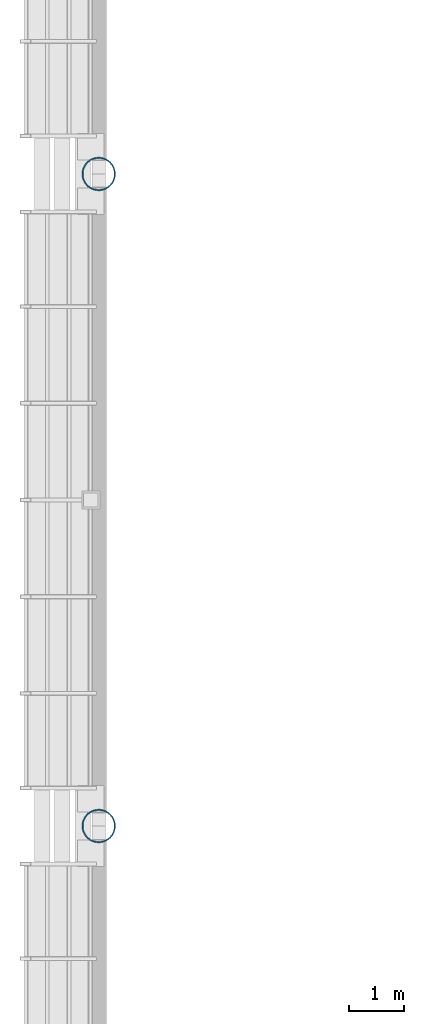
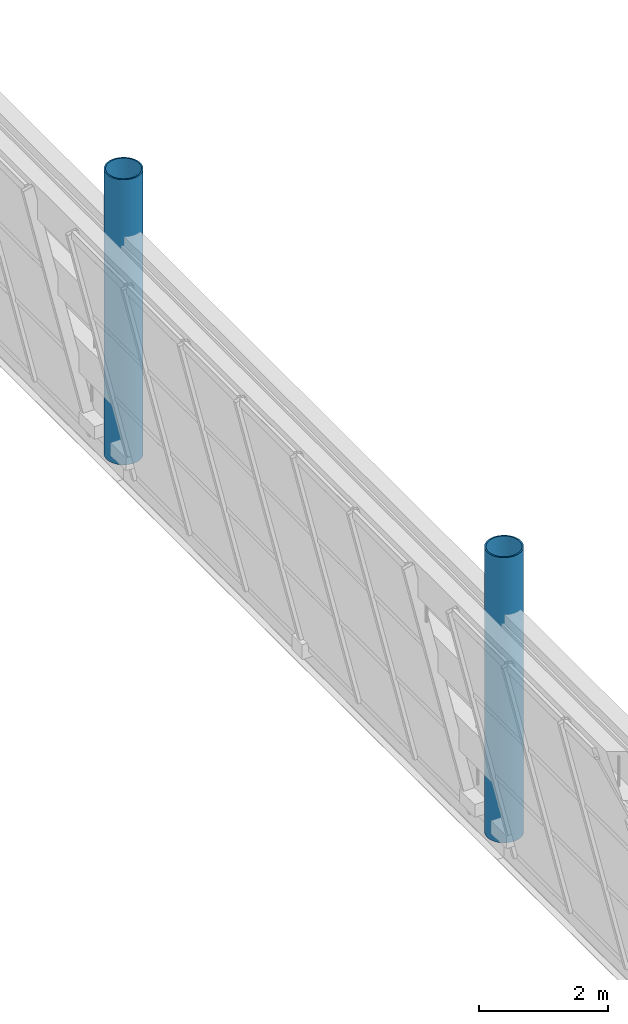
# One storey, part 3 of 175: 2 columns.
"""IFC4 building model written with IfcOpenShell, lengths in metres."""

from ifc_helpers import new_model, si_unit, direction, frame, origin, origin_2d, place, context, subcontext, project, spatial, hollow_circle, extrude, material, material_profile, profile_set, type_object, element, save


model = new_model("IFC4")

# Units and contexts
model_context = context("Model", 3, precision=1e-05, world=origin(), true_north=direction((0.0, 1.0)))
body_context = subcontext(model_context, "Body", "Model", "MODEL_VIEW")
ifc_project = project(units=[si_unit("LENGTHUNIT", "METRE"), si_unit("AREAUNIT", "SQUARE_METRE"), si_unit("VOLUMEUNIT", "CUBIC_METRE"), si_unit("PLANEANGLEUNIT", "RADIAN"), si_unit("MASSUNIT", "GRAM", prefix="KILO")], contexts=[model_context])

# Site, building, storey
site_placement = place(None, origin())
site = spatial("IfcSite", under=ifc_project, at=site_placement, CompositionType="ELEMENT")
building_placement = place(site_placement, origin())
building = spatial("IfcBuilding", under=site, at=building_placement, Name="Brelvane Convention Centre", CompositionType="ELEMENT")
storey_placement = place(building_placement, frame((0.0, 0.0, 5.39990234375)))
storey = spatial("IfcBuildingStorey", under=building, at=storey_placement, Name="L01", CompositionType="ELEMENT", Elevation=5.39990234375)

# Columns
ifc_material = material(Name="Steel E450 (450 MPa)", Category="steel")
ifc_material_profile = material_profile(ifc_material, hollow_circle(Radius=0.304931640625, WallThickness=0.02490234375, at=origin_2d()), Name="CHS 610.0x25.0")
ifc_profile_set = profile_set([ifc_material_profile], Name="Steel E450 (450 MPa)")
column_type = type_object("IfcColumnType", Name="Steel Column C-ST1 (CHS 610.0x25.0)", PredefinedType="COLUMN", material=ifc_profile_set)
for number, where, z_axis, x_axis, name in (
    (1, (0.0, 40.60009765625, 0.0), (0.0, 0.0, 1.0), (1.0, 0.0, 0.0), "Column 1-E (L01)"),
    (2, (0.0, 52.39990234375, 0.0), (0.0, 0.0, 1.0), (1.0, 0.0, 0.0), "Column 1-F (L01)"),
):
    element("IfcColumn", number, at=place(storey_placement, frame(where, z_axis=z_axis, x_axis=x_axis)), inside=storey, type_object=column_type, Name=name, PredefinedType="COLUMN", context=body_context, shape_type="SweptSolid", body=[
        extrude(hollow_circle(Radius=0.304931640625, WallThickness=0.02490234375, at=origin_2d()), origin(), (0.0, 0.0, 1.0), 5.400146484375),
    ])

save(model, "model.ifc")
